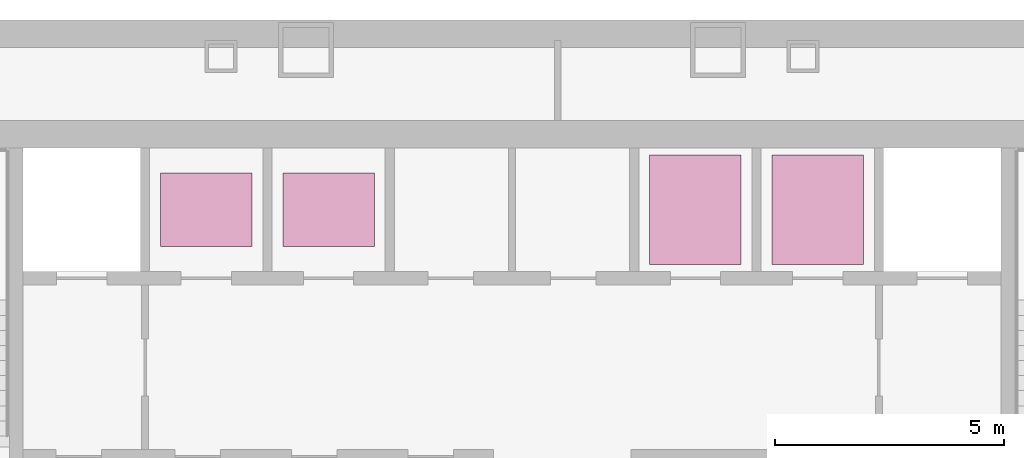
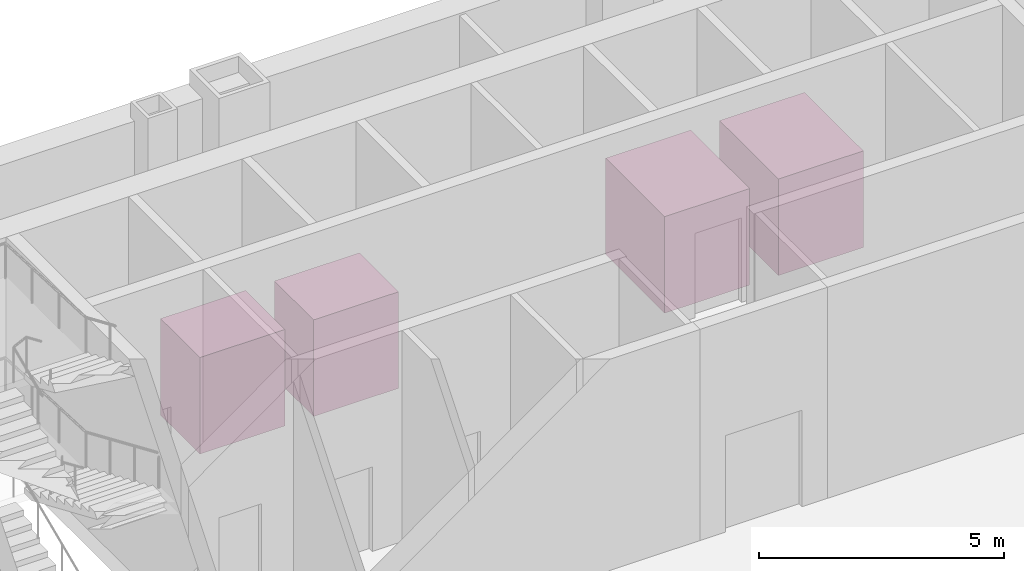
# One storey, part 18 of 18: 4 transport elements.
"""IFC4 building model written with IfcOpenShell, lengths in metres."""

from ifc_helpers import new_model, si_unit, direction, frame, origin, origin_2d, place, context, subcontext, project, spatial, rectangle, extrude, material, type_object, element, save


model = new_model("IFC4")

# Units and contexts
model_context = context("Model", 3, precision=1e-05, world=origin(), true_north=direction((0.0, 1.0)))
body_context = subcontext(model_context, "Body", "Model", "MODEL_VIEW")
ifc_project = project(units=[si_unit("LENGTHUNIT", "METRE"), si_unit("AREAUNIT", "SQUARE_METRE"), si_unit("VOLUMEUNIT", "CUBIC_METRE"), si_unit("PLANEANGLEUNIT", "RADIAN"), si_unit("MASSUNIT", "GRAM", prefix="KILO")], contexts=[model_context])

# Site, building, storey
site_placement = place(None, origin())
site = spatial("IfcSite", under=ifc_project, at=site_placement, CompositionType="ELEMENT")
building_placement = place(site_placement, origin())
building = spatial("IfcBuilding", under=site, at=building_placement, Name="Njiva Tower", CompositionType="ELEMENT")
storey_placement = place(building_placement, frame((0.0, 0.0, -5.7)))
storey = spatial("IfcBuildingStorey", under=building, at=storey_placement, Name="B1", CompositionType="ELEMENT", Elevation=-5.7)

# Transport elements
ifc_material = material(Name="Stainless steel car", Category="steel")
transport_element_type_1 = type_object("IfcTransportElementType", Name="LF1 Passenger lift 1600 kg", PredefinedType="ELEVATOR", material=ifc_material)
for number, where, z_axis, x_axis, name in (
    (1, (-6.6875, 16.05, 0.0), (0.0, 0.0, 1.0), (1.0, 0.0, 0.0), "Lift LB1 car"),
    (2, (-4.0125, 16.05, 0.0), (0.0, 0.0, 1.0), (1.0, 0.0, 0.0), "Lift LB2 car"),
):
    element("IfcTransportElement", number, at=place(storey_placement, frame(where, z_axis=z_axis, x_axis=x_axis)), inside=storey, type_object=transport_element_type_1, Name=name, PredefinedType="ELEVATOR", context=body_context, shape_type="SweptSolid", body=[
        extrude(rectangle(XDim=2.0, YDim=1.6, at=origin_2d()), origin(), (0.0, 0.0, 1.0), 2.4),
    ])
transport_element_type_2 = type_object("IfcTransportElementType", Name="LF3 Freight lift 2500 kg", PredefinedType="ELEVATOR", material=ifc_material)
for number, where, z_axis, x_axis, name in (
    (3, (4.0125, 16.05, 0.0), (0.0, 0.0, 1.0), (1.0, 0.0, 0.0), "Lift FR1 car"),
    (4, (6.6875, 16.05, 0.0), (0.0, 0.0, 1.0), (1.0, 0.0, 0.0), "Lift FR2 car"),
):
    element("IfcTransportElement", number, at=place(storey_placement, frame(where, z_axis=z_axis, x_axis=x_axis)), inside=storey, type_object=transport_element_type_2, Name=name, PredefinedType="ELEVATOR", context=body_context, shape_type="SweptSolid", body=[
        extrude(rectangle(XDim=2.0, YDim=2.4, at=origin_2d()), origin(), (0.0, 0.0, 1.0), 2.4),
    ])

save(model, "model.ifc")
